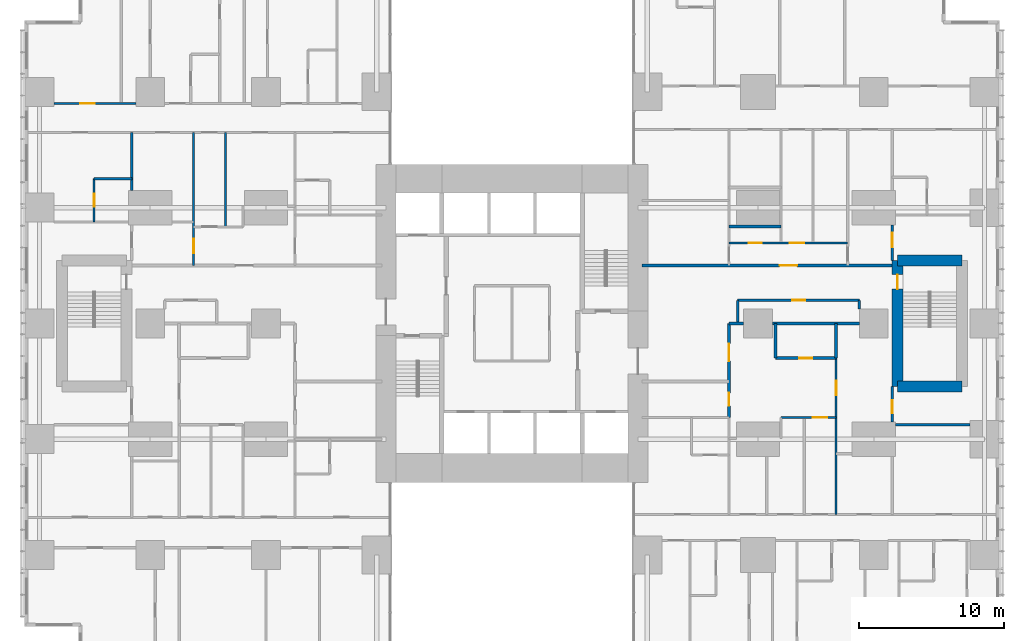
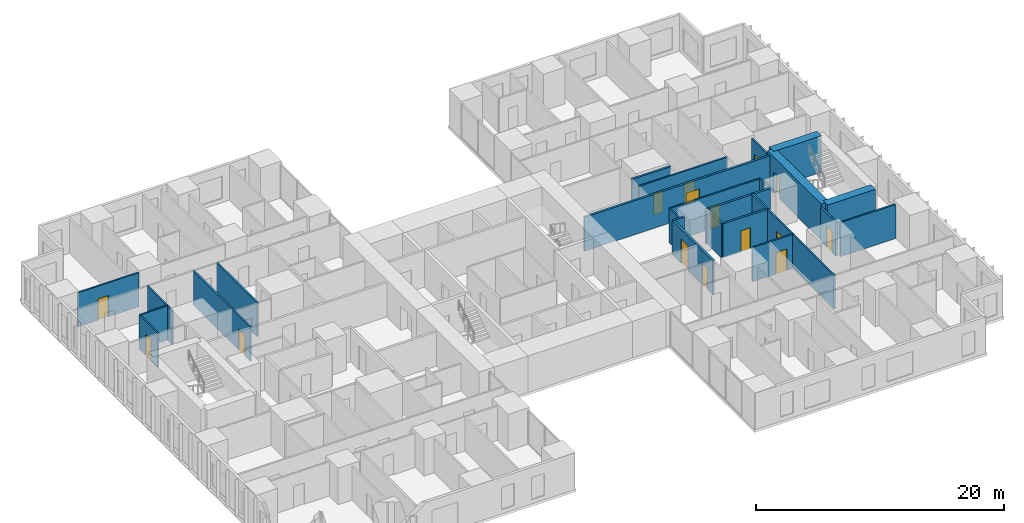
# One storey, part 16 of 21: 26 walls, 15 doors, 15 openings.
"""IFC4 building model written with IfcOpenShell, lengths in metres."""

import ifcopenshell
import ifcopenshell.guid

model = None  # the IFC model being written
_history = None  # IfcOwnerHistory: only IFC2X3 demands one
_inside = {}  # id of a spatial element -> (the spatial element, [elements in it])
_under = {}  # id of a project, library or spatial element -> (it, [spatial elements below it])
_declared = {}  # id of a project -> (the project, [libraries it declares])
_typed = {}  # id of a type object -> (the type object, [elements of that type])
_made_of = {}  # id of a material, layer set ... -> (it, [elements and type objects made of it])


def new_model(schema):
    """Start an empty IFC model of exactly this schema.

    Asked for "IFC4X3", IfcOpenShell would pick the latest addendum, in which some entities
    have other attributes; the version numbers below select the first issue.
    IFC2X3 requires an IfcOwnerHistory on every rooted entity: one is made here for all.
    """
    global model, _history
    if schema == "IFC4X3":
        model = ifcopenshell.file(schema_version=(4, 3, 0, 0))
    else:
        model = ifcopenshell.file(schema=schema)
    _inside.clear()
    _under.clear()
    _declared.clear()
    _typed.clear()
    _made_of.clear()
    _history = None
    if model.schema == "IFC2X3":
        org = make("IfcOrganization", Name="unknown")
        user = make(
            "IfcPersonAndOrganization",
            ThePerson=make("IfcPerson", FamilyName="unknown"),
            TheOrganization=org,
        )
        app = make(
            "IfcApplication",
            ApplicationDeveloper=org,
            Version="unknown",
            ApplicationFullName="unknown",
            ApplicationIdentifier="unknown",
        )
        _history = make(
            "IfcOwnerHistory",
            OwningUser=user,
            OwningApplication=app,
            ChangeAction="ADDED",
            CreationDate=0,
        )
    return model


def make(cls, **values):
    """One entity of the class cls with the attributes given. An attribute that is None is left unset."""
    return model.create_entity(
        cls, **{name: value for name, value in values.items() if value is not None}
    )


def rooted(cls, **values):
    """An entity with a GlobalId (a new one), such as an element, a storey or a relation."""
    return make(cls, GlobalId=ifcopenshell.guid.new(), OwnerHistory=_history, **values)


def si_unit(unit_type, name, prefix=None):
    """IfcSIUnit, for example si_unit("LENGTHUNIT", "METRE", prefix="MILLI")."""
    return make("IfcSIUnit", UnitType=unit_type, Prefix=prefix, Name=name)


def assignment(units):
    """IfcUnitAssignment: the units of a project."""
    return None if units is None else make("IfcUnitAssignment", Units=units)


def point(xyz):
    """IfcCartesianPoint."""
    return None if xyz is None else make("IfcCartesianPoint", Coordinates=xyz)


def direction(xyz):
    """IfcDirection."""
    return None if xyz is None else make("IfcDirection", DirectionRatios=xyz)


def frame(location, z_axis=None, x_axis=None):
    """IfcAxis2Placement3D, a coordinate frame: its origin and axes. An axis left out is left unset."""
    return make(
        "IfcAxis2Placement3D",
        Location=point(location),
        Axis=direction(z_axis),
        RefDirection=direction(x_axis),
    )


def frame_2d(location, x_axis=None):
    """IfcAxis2Placement2D, a coordinate frame in the plane: its origin and x axis."""
    return make(
        "IfcAxis2Placement2D", Location=point(location), RefDirection=direction(x_axis)
    )


def origin():
    """The frame at (0, 0, 0) with its axes left unset."""
    return frame((0.0, 0.0, 0.0))


def place(relative_to, where):
    """IfcLocalPlacement: puts the frame where relative to a parent placement (None: the world)."""
    return make(
        "IfcLocalPlacement", PlacementRelTo=relative_to, RelativePlacement=where
    )


def context(
    kind, dimensions, precision=None, world=None, true_north=None, identifier=None
):
    """IfcGeometricRepresentationContext, for example the 3D "Model" context."""
    return make(
        "IfcGeometricRepresentationContext",
        ContextIdentifier=identifier,
        ContextType=kind,
        CoordinateSpaceDimension=dimensions,
        Precision=precision,
        WorldCoordinateSystem=world,
        TrueNorth=true_north,
    )


def subcontext(parent, identifier, kind, view, scale=None):
    """IfcGeometricRepresentationSubContext, for example "Body" below "Model"."""
    return make(
        "IfcGeometricRepresentationSubContext",
        ContextIdentifier=identifier,
        ContextType=kind,
        ParentContext=parent,
        TargetScale=scale,
        TargetView=view,
    )


def project(units=None, contexts=None):
    """IfcProject with its units and contexts."""
    return rooted(
        "IfcProject",
        Name="project",
        RepresentationContexts=contexts,
        UnitsInContext=assignment(units),
    )


def spatial(cls, under=None, at=None, **own):
    """A site, building, storey or space (cls), placed at a placement, below another one or the project."""
    s = rooted(cls, ObjectPlacement=at, **own)
    if under is not None:
        _under.setdefault(under.id(), (under, []))[1].append(s)
    return s


def profile(cls, at=None, kind="AREA", **sizes):
    """A parametric profile (cls). Its sizes go by their IFC names, for example OverallWidth=200.0."""
    return make(cls, ProfileType=kind, Position=at, **sizes)


def rectangle(**sizes):
    """IfcRectangleProfileDef."""
    return profile("IfcRectangleProfileDef", **sizes)


def extrude(swept, where, along, depth):
    """IfcExtrudedAreaSolid: the profile swept, set in the frame where, extruded along a direction by depth."""
    return make(
        "IfcExtrudedAreaSolid",
        SweptArea=swept,
        Position=where,
        ExtrudedDirection=direction(along),
        Depth=depth,
    )


def shape(context_of_items, identifier, shape_type, items):
    """IfcShapeRepresentation: the items that make up one representation, for example the "Body"."""
    return make(
        "IfcShapeRepresentation",
        ContextOfItems=context_of_items,
        RepresentationIdentifier=identifier,
        RepresentationType=shape_type,
        Items=items,
    )


def material(Name=None, Category=None):
    """IfcMaterial."""
    return make("IfcMaterial", Name=Name, Category=Category)


def layer(
    of_material, thickness, ventilated=None, Name=None, Category=None, Priority=None
):
    """IfcMaterialLayer: one layer of a wall or slab, of a material (None: an air gap)."""
    return make(
        "IfcMaterialLayer",
        Material=of_material,
        LayerThickness=thickness,
        IsVentilated=ventilated,
        Name=Name,
        Category=Category,
        Priority=Priority,
    )


def layer_set(layers, Name=None):
    """IfcMaterialLayerSet."""
    return make("IfcMaterialLayerSet", MaterialLayers=layers, LayerSetName=Name)


def made_of(thing, what):
    """Note that an element or type object is made of a material, layer set ...; save() writes the relation."""
    if what is not None:
        _made_of.setdefault(what.id(), (what, []))[1].append(thing)
    return thing


def type_object(cls, material=None, **own):
    """A type object (cls), such as IfcWallType, which elements share."""
    return made_of(rooted(cls, **own), material)


def element(
    cls,
    number,
    at=None,
    inside=None,
    cuts=None,
    type_object=None,
    material=None,
    context=None,
    identifier="Body",
    shape_type=None,
    held_by="IfcProductDefinitionShape",
    body=None,
    shapes=None,
    **own,
):
    """One element of the class cls, such as IfcWall. Its Tag is "e" and its number.

    at: its placement. inside: the storey or other place that contains it. cuts: it is an
    opening in that element (IfcRelVoidsElement). A single representation is given by context,
    identifier, shape_type and body (its items); several are given by shapes. held_by: the class
    of the entity that holds the representations. save() writes the other relations.
    """
    e = rooted(cls, Tag="e%d" % number, ObjectPlacement=at, **own)
    if body is not None:
        shapes = [shape(context, identifier, shape_type, body)]
    if shapes is not None:
        e.Representation = make(held_by, Representations=shapes)
    if inside is not None:
        _inside.setdefault(inside.id(), (inside, []))[1].append(e)
    if cuts is not None:
        rooted(
            "IfcRelVoidsElement", RelatingBuildingElement=cuts, RelatedOpeningElement=e
        )
    if type_object is not None:
        _typed.setdefault(type_object.id(), (type_object, []))[1].append(e)
    return made_of(e, material)


def fill(opening, filler):
    """IfcRelFillsElement: the door or window that sits in an opening."""
    return rooted(
        "IfcRelFillsElement",
        RelatingOpeningElement=opening,
        RelatedBuildingElement=filler,
    )


def aggregate(whole, parts):
    """IfcRelAggregates: a whole, such as a stair, and the parts it consists of."""
    return rooted("IfcRelAggregates", RelatingObject=whole, RelatedObjects=parts)


def save(model, path):
    """Write the relations noted so far, then the file.

    IfcRelAggregates (storeys below a building ...), IfcRelContainedInSpatialStructure (elements
    in a storey), IfcRelDefinesByType, IfcRelAssociatesMaterial and IfcRelDeclares: one each for
    every whole, place, type object, material and project.
    """
    for whole, parts in _under.values():
        aggregate(whole, parts)
    for where, things in _inside.values():
        rooted(
            "IfcRelContainedInSpatialStructure",
            RelatedElements=things,
            RelatingStructure=where,
        )
    for kind, things in _typed.values():
        rooted("IfcRelDefinesByType", RelatedObjects=things, RelatingType=kind)
    for what, things in _made_of.values():
        rooted("IfcRelAssociatesMaterial", RelatedObjects=things, RelatingMaterial=what)
    for by, libraries in _declared.values():
        rooted("IfcRelDeclares", RelatingContext=by, RelatedDefinitions=libraries)
    model.write(path)


model = new_model("IFC4")

# Units and contexts
model_context = context("Model", 3, precision=1e-05, world=origin(), true_north=direction((0.0, 1.0)))
body_context = subcontext(model_context, "Body", "Model", "MODEL_VIEW")
ifc_project = project(units=[si_unit("LENGTHUNIT", "METRE"), si_unit("AREAUNIT", "SQUARE_METRE"), si_unit("VOLUMEUNIT", "CUBIC_METRE"), si_unit("PLANEANGLEUNIT", "RADIAN"), si_unit("MASSUNIT", "GRAM", prefix="KILO")], contexts=[model_context])

# Site, building, storey
site_placement = place(None, origin())
site = spatial("IfcSite", under=ifc_project, at=site_placement, CompositionType="ELEMENT")
building_placement = place(site_placement, origin())
building = spatial("IfcBuilding", under=site, at=building_placement, Name="Cleftline Residences", CompositionType="ELEMENT")
storey_placement = place(building_placement, frame((0.0, 0.0, 125.0)))
storey = spatial("IfcBuildingStorey", under=building, at=storey_placement, Name="L32", CompositionType="ELEMENT", Elevation=125.0)

# Wall, opening, door
ifc_material_1 = material(Name="Concrete blockwork, fire rated", Category="masonry")
ifc_layer_1 = layer(ifc_material_1, 0.199951171875)
ifc_layer_set_1 = layer_set([ifc_layer_1], Name="FIRE WALL 200")
wall_type_1 = type_object("IfcWallType", Name="FIRE WALL 200", PredefinedType="PARTITIONING", material=ifc_layer_set_1)
wall_1_placement = place(storey_placement, frame((51.199951171875, 21.60009765625, 0.0), z_axis=(0.0, 0.0, 1.0), x_axis=(1.0, 0.0, 0.0)))
wall_1 = element("IfcWall", 1, at=wall_1_placement, inside=storey, type_object=wall_type_1, Name="Fire separating wall", PredefinedType="PARTITIONING", context=body_context, shape_type="SweptSolid", body=[
    extrude(rectangle(XDim=4.199951171875, YDim=0.199951171875, at=frame_2d((2.10009765625, 0.0))), origin(), (0.0, 0.0, 1.0), 3.35009765625),
])
opening_1_placement = place(wall_1_placement, frame((1.64990234375, 0.0, 0.0)))
opening_1 = element("IfcOpeningElement", 2, at=opening_1_placement, cuts=wall_1, Name="Opening D1F30", PredefinedType="OPENING", context=body_context, shape_type="SweptSolid", body=[
    extrude(rectangle(XDim=0.89990234375, YDim=2.10009765625, at=frame_2d((0.449951171875, 1.050048828125))), frame((0.0, 0.10986328125, 0.0), z_axis=(0.0, -1.0, 0.0), x_axis=(1.0, 0.0, 0.0)), (0.0, 0.0, 1.0), 0.219970703125),
])
ifc_material_2 = material(Name="Timber veneer on solid core", Category="wood")
door_type_1 = type_object("IfcDoorType", Name="DOOR 900X2100 EI 30", OperationType="SINGLE_SWING_LEFT", PredefinedType="DOOR", material=ifc_material_2)
door_1_placement = place(opening_1_placement, origin())
door_1 = element("IfcDoor", 3, at=door_1_placement, inside=storey, type_object=door_type_1, Name="Door to cloakroom wc", OperationType="SINGLE_SWING_LEFT", OverallHeight=2.10009765625, OverallWidth=0.89990234375, PredefinedType="DOOR", context=body_context, shape_type="SweptSolid", body=[
    extrude(rectangle(XDim=0.89990234375, YDim=2.10009765625, at=frame_2d((0.449951171875, 1.050048828125))), frame((0.0, 0.02490234375, 0.0), z_axis=(0.0, -1.0, 0.0), x_axis=(1.0, 0.0, 0.0)), (0.0, 0.0, 1.0), 0.050048828125),
])
fill(opening_1, door_1)

# Walls
wall_2_placement = place(storey_placement, frame((48.0, 24.0, 0.0), z_axis=(0.0, 0.0, 1.0), x_axis=(1.0, 0.0, 0.0)))
element("IfcWall", 4, at=wall_2_placement, inside=storey, type_object=wall_type_1, Name="Fire separating wall", PredefinedType="PARTITIONING", context=body_context, shape_type="SweptSolid", body=[
    extrude(rectangle(XDim=1.0, YDim=0.199951171875, at=frame_2d((0.5, 0.0))), origin(), (0.0, 0.0, 1.0), 3.35009765625),
])
wall_3_placement = place(storey_placement, frame((51.0, 24.0, 0.0), z_axis=(0.0, 0.0, 1.0), x_axis=(1.0, 0.0, 0.0)))
element("IfcWall", 5, at=wall_3_placement, inside=storey, type_object=wall_type_1, Name="Fire separating wall", PredefinedType="PARTITIONING", context=body_context, shape_type="SweptSolid", body=[
    extrude(rectangle(XDim=6.0, YDim=0.199951171875, at=frame_2d((3.0, 0.0))), origin(), (0.0, 0.0, 1.0), 3.35009765625),
])

# Wall, opening, door
wall_4_placement = place(storey_placement, frame((42.0, 28.0, 0.0), z_axis=(0.0, 0.0, 1.0), x_axis=(1.0, 0.0, 0.0)))
wall_4 = element("IfcWall", 6, at=wall_4_placement, inside=storey, type_object=wall_type_1, Name="Fire separating wall", PredefinedType="PARTITIONING", context=body_context, shape_type="SweptSolid", body=[
    extrude(rectangle(XDim=17.27490234375, YDim=0.199951171875, at=frame_2d((8.637451171875, 0.0))), origin(), (0.0, 0.0, 1.0), 3.35009765625),
])
opening_2_placement = place(wall_4_placement, frame((9.5, 0.0, 0.0)))
opening_2 = element("IfcOpeningElement", 7, at=opening_2_placement, cuts=wall_4, Name="Opening D4", PredefinedType="OPENING", context=body_context, shape_type="SweptSolid", body=[
    extrude(rectangle(XDim=1.199951171875, YDim=2.39990234375, at=frame_2d((0.60009765625, 1.199951171875))), frame((0.0, 0.10986328125, 0.0), z_axis=(0.0, -1.0, 0.0), x_axis=(1.0, 0.0, 0.0)), (0.0, 0.0, 1.0), 0.219970703125),
])
ifc_material_3 = material(Name="Timber veneer on solid core", Category="wood")
door_type_2 = type_object("IfcDoorType", Name="APARTMENT ENTRANCE DOOR 1200X2400", OperationType="SINGLE_SWING_RIGHT", PredefinedType="DOOR", material=ifc_material_3)
door_2_placement = place(opening_2_placement, origin())
door_2 = element("IfcDoor", 8, at=door_2_placement, inside=storey, type_object=door_type_2, Name="Door to residence entrance foyer", OperationType="SINGLE_SWING_LEFT", OverallHeight=2.39990234375, OverallWidth=1.199951171875, PredefinedType="DOOR", context=body_context, shape_type="SweptSolid", body=[
    extrude(rectangle(XDim=1.199951171875, YDim=2.39990234375, at=frame_2d((0.60009765625, 1.199951171875))), frame((0.0, 0.02490234375, 0.0), z_axis=(0.0, -1.0, 0.0), x_axis=(1.0, 0.0, 0.0)), (0.0, 0.0, 1.0), 0.050048828125),
])
fill(opening_2, door_2)

# Wall
wall_5_placement = place(storey_placement, frame((48.0, 30.699951171875, 0.0), z_axis=(0.0, 0.0, 1.0), x_axis=(1.0, 0.0, 0.0)))
element("IfcWall", 9, at=wall_5_placement, inside=storey, type_object=wall_type_1, Name="Fire separating wall", PredefinedType="PARTITIONING", context=body_context, shape_type="SweptSolid", body=[
    extrude(rectangle(XDim=3.60009765625, YDim=0.199951171875, at=frame_2d((1.800048828125, 0.0))), origin(), (0.0, 0.0, 1.0), 3.35009765625),
])

# Wall, openings, doors
wall_6_placement = place(storey_placement, frame((48.0, 17.5, 0.0), z_axis=(0.0, 0.0, 1.0), x_axis=(0.0, 1.0, 0.0)))
wall_6 = element("IfcWall", 10, at=wall_6_placement, inside=storey, type_object=wall_type_1, Name="Fire separating wall", PredefinedType="PARTITIONING", context=body_context, shape_type="SweptSolid", body=[
    extrude(rectangle(XDim=6.5, YDim=0.199951171875, at=frame_2d((3.25, 0.0))), origin(), (0.0, 0.0, 1.0), 3.35009765625),
])
opening_3_placement = place(wall_6_placement, frame((3.89990234375, 0.0, 0.0)))
opening_3 = element("IfcOpeningElement", 11, at=opening_3_placement, cuts=wall_6, Name="Opening D4", PredefinedType="OPENING", context=body_context, shape_type="SweptSolid", body=[
    extrude(rectangle(XDim=1.199951171875, YDim=2.39990234375, at=frame_2d((0.60009765625, 1.199951171875))), frame((0.0, 0.10986328125, 0.0), z_axis=(0.0, -1.0, 0.0), x_axis=(1.0, 0.0, 0.0)), (0.0, 0.0, 1.0), 0.219970703125),
])
opening_4_placement = place(wall_6_placement, frame((0.800048828125, 0.0, 0.0)))
opening_4 = element("IfcOpeningElement", 12, at=opening_4_placement, cuts=wall_6, Name="Opening D1F30", PredefinedType="OPENING", context=body_context, shape_type="SweptSolid", body=[
    extrude(rectangle(XDim=0.89990234375, YDim=2.10009765625, at=frame_2d((0.449951171875, 1.050048828125))), frame((0.0, 0.10986328125, 0.0), z_axis=(0.0, -1.0, 0.0), x_axis=(1.0, 0.0, 0.0)), (0.0, 0.0, 1.0), 0.219970703125),
])
door_3_placement = place(opening_3_placement, origin())
door_3 = element("IfcDoor", 13, at=door_3_placement, inside=storey, type_object=door_type_2, Name="Door to residence entrance foyer", OperationType="SINGLE_SWING_LEFT", OverallHeight=2.39990234375, OverallWidth=1.199951171875, PredefinedType="DOOR", context=body_context, shape_type="SweptSolid", body=[
    extrude(rectangle(XDim=1.199951171875, YDim=2.39990234375, at=frame_2d((0.60009765625, 1.199951171875))), frame((0.0, 0.02490234375, 0.0), z_axis=(0.0, -1.0, 0.0), x_axis=(1.0, 0.0, 0.0)), (0.0, 0.0, 1.0), 0.050048828125),
])
fill(opening_3, door_3)
door_4_placement = place(opening_4_placement, origin())
door_4 = element("IfcDoor", 14, at=door_4_placement, inside=storey, type_object=door_type_1, Name="Door to laundry", OperationType="SINGLE_SWING_RIGHT", OverallHeight=2.10009765625, OverallWidth=0.89990234375, PredefinedType="DOOR", context=body_context, shape_type="SweptSolid", body=[
    extrude(rectangle(XDim=0.89990234375, YDim=2.10009765625, at=frame_2d((0.449951171875, 1.050048828125))), frame((0.0, 0.02490234375, 0.0), z_axis=(0.0, -1.0, 0.0), x_axis=(1.0, 0.0, 0.0)), (0.0, 0.0, 1.0), 0.050048828125),
])
fill(opening_4, door_4)

# Walls
for number, where, z_axis, x_axis, name in (
    (15, (51.199951171875, 21.60009765625, 0.0), (0.0, 0.0, 1.0), (0.0, 1.0, 0.0), "Fire separating wall"),
    (16, (55.39990234375, 21.60009765625, 0.0), (0.0, 0.0, 1.0), (0.0, 1.0, 0.0), "Fire separating wall"),
):
    element("IfcWall", number, at=place(storey_placement, frame(where, z_axis=z_axis, x_axis=x_axis)), inside=storey, type_object=wall_type_1, Name=name, PredefinedType="PARTITIONING", context=body_context, shape_type="SweptSolid", body=[
        extrude(rectangle(XDim=2.39990234375, YDim=0.199951171875, at=frame_2d((1.199951171875, 0.0))), origin(), (0.0, 0.0, 1.0), 3.35009765625),
    ])
ifc_material_4 = material(Name="Gypsum board on steel studs", Category="steel")
ifc_layer_2 = layer(ifc_material_4, 0.14990234375)
ifc_layer_set_2 = layer_set([ifc_layer_2], Name="PARTITION 150")
wall_type_2 = type_object("IfcWallType", Name="PARTITION 150", PredefinedType="PARTITIONING", material=ifc_layer_set_2)
wall_7_placement = place(storey_placement, frame((59.5, 17.0, 0.0), z_axis=(0.0, 0.0, 1.0), x_axis=(1.0, 0.0, 0.0)))
element("IfcWall", 17, at=wall_7_placement, inside=storey, type_object=wall_type_2, Name="Partition", PredefinedType="PARTITIONING", context=body_context, shape_type="SweptSolid", body=[
    extrude(rectangle(XDim=5.14990234375, YDim=0.14990234375, at=frame_2d((2.574951171875, 0.0))), origin(), (0.0, 0.0, 1.0), 3.35009765625),
])

# Wall, opening, door
wall_8_placement = place(storey_placement, frame((51.60009765625, 17.5, 0.0), z_axis=(0.0, 0.0, 1.0), x_axis=(1.0, 0.0, 0.0)))
wall_8 = element("IfcWall", 18, at=wall_8_placement, inside=storey, type_object=wall_type_2, Name="Partition", PredefinedType="PARTITIONING", context=body_context, shape_type="SweptSolid", body=[
    extrude(rectangle(XDim=3.7998046875, YDim=0.14990234375, at=frame_2d((1.89990234375, 0.0))), origin(), (0.0, 0.0, 1.0), 3.35009765625),
])
opening_5_placement = place(wall_8_placement, frame((2.199951171875, 0.0, 0.0)))
opening_5 = element("IfcOpeningElement", 19, at=opening_5_placement, cuts=wall_8, Name="Opening D2", PredefinedType="OPENING", context=body_context, shape_type="SweptSolid", body=[
    extrude(rectangle(XDim=1.0, YDim=2.10009765625, at=frame_2d((0.5, 1.050048828125))), frame((0.0, 0.0849609375, 0.0), z_axis=(0.0, -1.0, 0.0), x_axis=(1.0, 0.0, 0.0)), (0.0, 0.0, 1.0), 0.169921875),
])
ifc_material_5 = material(Name="Timber veneer on solid core", Category="wood")
door_type_3 = type_object("IfcDoorType", Name="DOOR 1000X2100", OperationType="SINGLE_SWING_LEFT", PredefinedType="DOOR", material=ifc_material_5)
door_5_placement = place(opening_5_placement, origin())
door_5 = element("IfcDoor", 20, at=door_5_placement, inside=storey, type_object=door_type_3, Name="Door to residence passage", OperationType="SINGLE_SWING_LEFT", OverallHeight=2.10009765625, OverallWidth=1.0, PredefinedType="DOOR", context=body_context, shape_type="SweptSolid", body=[
    extrude(rectangle(XDim=1.0, YDim=2.10009765625, at=frame_2d((0.5, 1.050048828125))), frame((0.0, 0.02490234375, 0.0), z_axis=(0.0, -1.0, 0.0), x_axis=(1.0, 0.0, 0.0)), (0.0, 0.0, 1.0), 0.050048828125),
])
fill(opening_5, door_5)

wall_9_placement = place(storey_placement, frame((48.60009765625, 25.60009765625, 0.0), z_axis=(0.0, 0.0, 1.0), x_axis=(1.0, 0.0, 0.0)))
wall_9 = element("IfcWall", 21, at=wall_9_placement, inside=storey, type_object=wall_type_2, Name="Partition", PredefinedType="PARTITIONING", context=body_context, shape_type="SweptSolid", body=[
    extrude(rectangle(XDim=8.39990234375, YDim=0.14990234375, at=frame_2d((4.199951171875, 0.0))), origin(), (0.0, 0.0, 1.0), 3.35009765625),
])
opening_6_placement = place(wall_9_placement, frame((3.75, 0.0, 0.0)))
opening_6 = element("IfcOpeningElement", 22, at=opening_6_placement, cuts=wall_9, Name="Opening D1", PredefinedType="OPENING", context=body_context, shape_type="SweptSolid", body=[
    extrude(rectangle(XDim=0.89990234375, YDim=2.10009765625, at=frame_2d((0.449951171875, 1.050048828125))), frame((0.0, 0.0849609375, 0.0), z_axis=(0.0, -1.0, 0.0), x_axis=(1.0, 0.0, 0.0)), (0.0, 0.0, 1.0), 0.169921875),
])
ifc_material_6 = material(Name="Timber veneer on solid core", Category="wood")
door_type_4 = type_object("IfcDoorType", Name="DOOR 900X2100", OperationType="SINGLE_SWING_LEFT", PredefinedType="DOOR", material=ifc_material_6)
door_6_placement = place(opening_6_placement, origin())
door_6 = element("IfcDoor", 23, at=door_6_placement, inside=storey, type_object=door_type_4, Name="Door to residents' locker room", OperationType="SINGLE_SWING_LEFT", OverallHeight=2.10009765625, OverallWidth=0.89990234375, PredefinedType="DOOR", context=body_context, shape_type="SweptSolid", body=[
    extrude(rectangle(XDim=0.89990234375, YDim=2.10009765625, at=frame_2d((0.449951171875, 1.050048828125))), frame((0.0, 0.02490234375, 0.0), z_axis=(0.0, -1.0, 0.0), x_axis=(1.0, 0.0, 0.0)), (0.0, 0.0, 1.0), 0.050048828125),
])
fill(opening_6, door_6)

# Wall, openings, doors
wall_10_placement = place(storey_placement, frame((48.0, 29.550048828125, 0.0), z_axis=(0.0, 0.0, 1.0), x_axis=(1.0, 0.0, 0.0)))
wall_10 = element("IfcWall", 24, at=wall_10_placement, inside=storey, type_object=wall_type_2, Name="Partition", PredefinedType="PARTITIONING", context=body_context, shape_type="SweptSolid", body=[
    extrude(rectangle(XDim=8.199951171875, YDim=0.14990234375, at=frame_2d((4.10009765625, 0.0))), origin(), (0.0, 0.0, 1.0), 3.35009765625),
])
opening_7_placement = place(wall_10_placement, frame((4.199951171875, 0.0, 0.0)))
opening_7 = element("IfcOpeningElement", 25, at=opening_7_placement, cuts=wall_10, Name="Opening D2", PredefinedType="OPENING", context=body_context, shape_type="SweptSolid", body=[
    extrude(rectangle(XDim=1.0, YDim=2.10009765625, at=frame_2d((0.5, 1.050048828125))), frame((0.0, 0.0849609375, 0.0), z_axis=(0.0, -1.0, 0.0), x_axis=(1.0, 0.0, 0.0)), (0.0, 0.0, 1.0), 0.169921875),
])
opening_8_placement = place(wall_10_placement, frame((1.35009765625, 0.0, 0.0)))
opening_8 = element("IfcOpeningElement", 26, at=opening_8_placement, cuts=wall_10, Name="Opening D1", PredefinedType="OPENING", context=body_context, shape_type="SweptSolid", body=[
    extrude(rectangle(XDim=0.89990234375, YDim=2.10009765625, at=frame_2d((0.449951171875, 1.050048828125))), frame((0.0, 0.0849609375, 0.0), z_axis=(0.0, -1.0, 0.0), x_axis=(1.0, 0.0, 0.0)), (0.0, 0.0, 1.0), 0.169921875),
])
door_7_placement = place(opening_7_placement, origin())
door_7 = element("IfcDoor", 27, at=door_7_placement, inside=storey, type_object=door_type_3, Name="Door to residence passage", OperationType="SINGLE_SWING_LEFT", OverallHeight=2.10009765625, OverallWidth=1.0, PredefinedType="DOOR", context=body_context, shape_type="SweptSolid", body=[
    extrude(rectangle(XDim=1.0, YDim=2.10009765625, at=frame_2d((0.5, 1.050048828125))), frame((0.0, 0.02490234375, 0.0), z_axis=(0.0, -1.0, 0.0), x_axis=(1.0, 0.0, 0.0)), (0.0, 0.0, 1.0), 0.050048828125),
])
fill(opening_7, door_7)
door_8_placement = place(opening_8_placement, origin())
door_8 = element("IfcDoor", 28, at=door_8_placement, inside=storey, type_object=door_type_4, Name="Door to linen store", OperationType="SINGLE_SWING_RIGHT", OverallHeight=2.10009765625, OverallWidth=0.89990234375, PredefinedType="DOOR", context=body_context, shape_type="SweptSolid", body=[
    extrude(rectangle(XDim=0.89990234375, YDim=2.10009765625, at=frame_2d((0.449951171875, 1.050048828125))), frame((0.0, 0.02490234375, 0.0), z_axis=(0.0, -1.0, 0.0), x_axis=(1.0, 0.0, 0.0)), (0.0, 0.0, 1.0), 0.050048828125),
])
fill(opening_8, door_8)

# Wall
wall_11_placement = place(storey_placement, frame((4.125, 34.0, 0.0), z_axis=(0.0, 0.0, 1.0), x_axis=(1.0, 0.0, 0.0)))
element("IfcWall", 29, at=wall_11_placement, inside=storey, type_object=wall_type_2, Name="Partition", PredefinedType="PARTITIONING", context=body_context, shape_type="SweptSolid", body=[
    extrude(rectangle(XDim=2.60009765625, YDim=0.14990234375, at=frame_2d((1.300048828125, 0.0))), origin(), (0.0, 0.0, 1.0), 3.35009765625),
])

# Wall, opening, door
wall_12_placement = place(storey_placement, frame((1.35009765625, 39.199951171875, 0.0), z_axis=(0.0, 0.0, 1.0), x_axis=(1.0, 0.0, 0.0)))
wall_12 = element("IfcWall", 30, at=wall_12_placement, inside=storey, type_object=wall_type_2, Name="Partition", PredefinedType="PARTITIONING", context=body_context, shape_type="SweptSolid", body=[
    extrude(rectangle(XDim=5.64990234375, YDim=0.14990234375, at=frame_2d((2.824951171875, 0.0))), origin(), (0.0, 0.0, 1.0), 3.35009765625),
])
opening_9_placement = place(wall_12_placement, frame((1.824951171875, 0.0, 0.0)))
opening_9 = element("IfcOpeningElement", 31, at=opening_9_placement, cuts=wall_12, Name="Opening D2", PredefinedType="OPENING", context=body_context, shape_type="SweptSolid", body=[
    extrude(rectangle(XDim=1.0, YDim=2.10009765625, at=frame_2d((0.5, 1.050048828125))), frame((0.0, 0.0849609375, 0.0), z_axis=(0.0, -1.0, 0.0), x_axis=(1.0, 0.0, 0.0)), (0.0, 0.0, 1.0), 0.169921875),
])
door_9_placement = place(opening_9_placement, origin())
door_9 = element("IfcDoor", 32, at=door_9_placement, inside=storey, type_object=door_type_3, Name="Door to gym", OperationType="SINGLE_SWING_RIGHT", OverallHeight=2.10009765625, OverallWidth=1.0, PredefinedType="DOOR", context=body_context, shape_type="SweptSolid", body=[
    extrude(rectangle(XDim=1.0, YDim=2.10009765625, at=frame_2d((0.5, 1.050048828125))), frame((0.0, 0.02490234375, 0.0), z_axis=(0.0, -1.0, 0.0), x_axis=(1.0, 0.0, 0.0)), (0.0, 0.0, 1.0), 0.050048828125),
])
fill(opening_9, door_9)

wall_13_placement = place(storey_placement, frame((4.125, 31.0, 0.0), z_axis=(0.0, 0.0, 1.0), x_axis=(0.0, 1.0, 0.0)))
wall_13 = element("IfcWall", 33, at=wall_13_placement, inside=storey, type_object=wall_type_2, Name="Partition", PredefinedType="PARTITIONING", context=body_context, shape_type="SweptSolid", body=[
    extrude(rectangle(XDim=3.0, YDim=0.14990234375, at=frame_2d((1.5, 0.0))), origin(), (0.0, 0.0, 1.0), 3.35009765625),
])
opening_10_placement = place(wall_13_placement, frame((1.050048828125, 0.0, 0.0)))
opening_10 = element("IfcOpeningElement", 34, at=opening_10_placement, cuts=wall_13, Name="Opening D1", PredefinedType="OPENING", context=body_context, shape_type="SweptSolid", body=[
    extrude(rectangle(XDim=0.89990234375, YDim=2.10009765625, at=frame_2d((0.449951171875, 1.050048828125))), frame((0.0, 0.0849609375, 0.0), z_axis=(0.0, -1.0, 0.0), x_axis=(1.0, 0.0, 0.0)), (0.0, 0.0, 1.0), 0.169921875),
])
door_10_placement = place(opening_10_placement, origin())
door_10 = element("IfcDoor", 35, at=door_10_placement, inside=storey, type_object=door_type_4, Name="Door to master bathroom", OperationType="SINGLE_SWING_LEFT", OverallHeight=2.10009765625, OverallWidth=0.89990234375, PredefinedType="DOOR", context=body_context, shape_type="SweptSolid", body=[
    extrude(rectangle(XDim=0.89990234375, YDim=2.10009765625, at=frame_2d((0.449951171875, 1.050048828125))), frame((0.0, 0.02490234375, 0.0), z_axis=(0.0, -1.0, 0.0), x_axis=(1.0, 0.0, 0.0)), (0.0, 0.0, 1.0), 0.050048828125),
])
fill(opening_10, door_10)

# Wall
wall_14_placement = place(storey_placement, frame((6.72509765625, 33.199951171875, 0.0), z_axis=(0.0, 0.0, 1.0), x_axis=(0.0, 1.0, 0.0)))
element("IfcWall", 36, at=wall_14_placement, inside=storey, type_object=wall_type_2, Name="Partition", PredefinedType="PARTITIONING", context=body_context, shape_type="SweptSolid", body=[
    extrude(rectangle(XDim=4.0, YDim=0.14990234375, at=frame_2d((2.0, 0.0))), origin(), (0.0, 0.0, 1.0), 3.35009765625),
])

# Wall, opening, door
wall_15_placement = place(storey_placement, frame((11.0, 28.0, 0.0), z_axis=(0.0, 0.0, 1.0), x_axis=(0.0, 1.0, 0.0)))
wall_15 = element("IfcWall", 37, at=wall_15_placement, inside=storey, type_object=wall_type_2, Name="Partition", PredefinedType="PARTITIONING", context=body_context, shape_type="SweptSolid", body=[
    extrude(rectangle(XDim=9.199951171875, YDim=0.14990234375, at=frame_2d((4.60009765625, 0.0))), origin(), (0.0, 0.0, 1.0), 3.35009765625),
])
opening_11_placement = place(wall_15_placement, frame((0.83740234375, 0.0, 0.0)))
opening_11 = element("IfcOpeningElement", 38, at=opening_11_placement, cuts=wall_15, Name="Opening D2F30", PredefinedType="OPENING", context=body_context, shape_type="SweptSolid", body=[
    extrude(rectangle(XDim=1.0, YDim=2.10009765625, at=frame_2d((0.5, 1.050048828125))), frame((0.0, 0.0849609375, 0.0), z_axis=(0.0, -1.0, 0.0), x_axis=(1.0, 0.0, 0.0)), (0.0, 0.0, 1.0), 0.169921875),
])
ifc_material_7 = material(Name="Timber veneer on solid core", Category="wood")
door_type_5 = type_object("IfcDoorType", Name="DOOR 1000X2100 EI 30", OperationType="SINGLE_SWING_LEFT", PredefinedType="DOOR", material=ifc_material_7)
door_11_placement = place(opening_11_placement, origin())
door_11 = element("IfcDoor", 39, at=door_11_placement, inside=storey, type_object=door_type_5, Name="Door to residence lobby (service)", OperationType="SINGLE_SWING_RIGHT", OverallHeight=2.10009765625, OverallWidth=1.0, PredefinedType="DOOR", context=body_context, shape_type="SweptSolid", body=[
    extrude(rectangle(XDim=1.0, YDim=2.10009765625, at=frame_2d((0.5, 1.050048828125))), frame((0.0, 0.02490234375, 0.0), z_axis=(0.0, -1.0, 0.0), x_axis=(1.0, 0.0, 0.0)), (0.0, 0.0, 1.0), 0.050048828125),
])
fill(opening_11, door_11)

# Walls
wall_16_placement = place(storey_placement, frame((13.199951171875, 30.675048828125, 0.0), z_axis=(0.0, 0.0, 1.0), x_axis=(0.0, 1.0, 0.0)))
element("IfcWall", 40, at=wall_16_placement, inside=storey, type_object=wall_type_2, Name="Partition", PredefinedType="PARTITIONING", context=body_context, shape_type="SweptSolid", body=[
    extrude(rectangle(XDim=6.52490234375, YDim=0.14990234375, at=frame_2d((3.262451171875, 0.0))), origin(), (0.0, 0.0, 1.0), 3.35009765625),
])
wall_17_placement = place(storey_placement, frame((48.60009765625, 24.0, 0.0), z_axis=(0.0, 0.0, 1.0), x_axis=(0.0, 1.0, 0.0)))
element("IfcWall", 41, at=wall_17_placement, inside=storey, type_object=wall_type_2, Name="Partition", PredefinedType="PARTITIONING", context=body_context, shape_type="SweptSolid", body=[
    extrude(rectangle(XDim=1.60009765625, YDim=0.14990234375, at=frame_2d((0.800048828125, 0.0))), origin(), (0.0, 0.0, 1.0), 3.35009765625),
])

# Wall, opening, door
wall_18_placement = place(storey_placement, frame((55.39990234375, 10.800048828125, 0.0), z_axis=(0.0, 0.0, 1.0), x_axis=(0.0, 1.0, 0.0)))
wall_18 = element("IfcWall", 42, at=wall_18_placement, inside=storey, type_object=wall_type_2, Name="Partition", PredefinedType="PARTITIONING", context=body_context, shape_type="SweptSolid", body=[
    extrude(rectangle(XDim=10.800048828125, YDim=0.14990234375, at=frame_2d((5.39990234375, 0.0))), origin(), (0.0, 0.0, 1.0), 3.35009765625),
])
opening_12_placement = place(wall_18_placement, frame((8.25, 0.0, 0.0)))
opening_12 = element("IfcOpeningElement", 43, at=opening_12_placement, cuts=wall_18, Name="Opening D2F30", PredefinedType="OPENING", context=body_context, shape_type="SweptSolid", body=[
    extrude(rectangle(XDim=1.0, YDim=2.10009765625, at=frame_2d((0.5, 1.050048828125))), frame((0.0, 0.0849609375, 0.0), z_axis=(0.0, -1.0, 0.0), x_axis=(1.0, 0.0, 0.0)), (0.0, 0.0, 1.0), 0.169921875),
])
door_12_placement = place(opening_12_placement, origin())
door_12 = element("IfcDoor", 44, at=door_12_placement, inside=storey, type_object=door_type_5, Name="Door to residence lobby (service)", OperationType="SINGLE_SWING_LEFT", OverallHeight=2.10009765625, OverallWidth=1.0, PredefinedType="DOOR", context=body_context, shape_type="SweptSolid", body=[
    extrude(rectangle(XDim=1.0, YDim=2.10009765625, at=frame_2d((0.5, 1.050048828125))), frame((0.0, 0.02490234375, 0.0), z_axis=(0.0, -1.0, 0.0), x_axis=(1.0, 0.0, 0.0)), (0.0, 0.0, 1.0), 0.050048828125),
])
fill(opening_12, door_12)

# Wall
wall_19_placement = place(storey_placement, frame((57.0, 25.0, 0.0), z_axis=(0.0, 0.0, 1.0), x_axis=(0.0, 1.0, 0.0)))
element("IfcWall", 45, at=wall_19_placement, inside=storey, type_object=wall_type_2, Name="Partition", PredefinedType="PARTITIONING", context=body_context, shape_type="SweptSolid", body=[
    extrude(rectangle(XDim=0.60009765625, YDim=0.14990234375, at=frame_2d((0.300048828125, 0.0))), origin(), (0.0, 0.0, 1.0), 3.35009765625),
])

# Wall, opening, door
wall_20_placement = place(storey_placement, frame((59.27490234375, 17.199951171875, 0.0), z_axis=(0.0, 0.0, 1.0), x_axis=(0.0, 1.0, 0.0)))
wall_20 = element("IfcWall", 46, at=wall_20_placement, inside=storey, type_object=wall_type_2, Name="Partition", PredefinedType="PARTITIONING", context=body_context, shape_type="SweptSolid", body=[
    extrude(rectangle(XDim=2.449951171875, YDim=0.14990234375, at=frame_2d((1.22509765625, 0.0))), origin(), (0.0, 0.0, 1.0), 3.35009765625),
])
opening_13_placement = place(wall_20_placement, frame((0.58740234375, 0.0, 0.0)))
opening_13 = element("IfcOpeningElement", 47, at=opening_13_placement, cuts=wall_20, Name="Opening D1", PredefinedType="OPENING", context=body_context, shape_type="SweptSolid", body=[
    extrude(rectangle(XDim=0.89990234375, YDim=2.10009765625, at=frame_2d((0.449951171875, 1.050048828125))), frame((0.0, 0.0849609375, 0.0), z_axis=(0.0, -1.0, 0.0), x_axis=(1.0, 0.0, 0.0)), (0.0, 0.0, 1.0), 0.169921875),
])
door_13_placement = place(opening_13_placement, origin())
door_13 = element("IfcDoor", 48, at=door_13_placement, inside=storey, type_object=door_type_4, Name="Door to drying loggia", OperationType="SINGLE_SWING_RIGHT", OverallHeight=2.10009765625, OverallWidth=0.89990234375, PredefinedType="DOOR", context=body_context, shape_type="SweptSolid", body=[
    extrude(rectangle(XDim=0.89990234375, YDim=2.10009765625, at=frame_2d((0.449951171875, 1.050048828125))), frame((0.0, 0.02490234375, 0.0), z_axis=(0.0, -1.0, 0.0), x_axis=(1.0, 0.0, 0.0)), (0.0, 0.0, 1.0), 0.050048828125),
])
fill(opening_13, door_13)

wall_21_placement = place(storey_placement, frame((59.27490234375, 28.35009765625, 0.0), z_axis=(0.0, 0.0, 1.0), x_axis=(0.0, 1.0, 0.0)))
wall_21 = element("IfcWall", 49, at=wall_21_placement, inside=storey, type_object=wall_type_2, Name="Partition", PredefinedType="PARTITIONING", context=body_context, shape_type="SweptSolid", body=[
    extrude(rectangle(XDim=2.449951171875, YDim=0.14990234375, at=frame_2d((1.22509765625, 0.0))), origin(), (0.0, 0.0, 1.0), 3.35009765625),
])
opening_14_placement = place(wall_21_placement, frame((0.91259765625, 0.0, 0.0)))
opening_14 = element("IfcOpeningElement", 50, at=opening_14_placement, cuts=wall_21, Name="Opening D2", PredefinedType="OPENING", context=body_context, shape_type="SweptSolid", body=[
    extrude(rectangle(XDim=1.0, YDim=2.10009765625, at=frame_2d((0.5, 1.050048828125))), frame((0.0, 0.0849609375, 0.0), z_axis=(0.0, -1.0, 0.0), x_axis=(1.0, 0.0, 0.0)), (0.0, 0.0, 1.0), 0.169921875),
])
door_14_placement = place(opening_14_placement, origin())
door_14 = element("IfcDoor", 51, at=door_14_placement, inside=storey, type_object=door_type_3, Name="Door to bedroom 2", OperationType="SINGLE_SWING_LEFT", OverallHeight=2.10009765625, OverallWidth=1.0, PredefinedType="DOOR", context=body_context, shape_type="SweptSolid", body=[
    extrude(rectangle(XDim=1.0, YDim=2.10009765625, at=frame_2d((0.5, 1.050048828125))), frame((0.0, 0.02490234375, 0.0), z_axis=(0.0, -1.0, 0.0), x_axis=(1.0, 0.0, 0.0)), (0.0, 0.0, 1.0), 0.050048828125),
])
fill(opening_14, door_14)

# Walls
ifc_material_8 = material(Name="Concrete B70", Category="concrete")
ifc_layer_3 = layer(ifc_material_8, 0.75)
ifc_layer_set_3 = layer_set([ifc_layer_3], Name="SHEAR WALL 750")
wall_type_3 = type_object("IfcWallType", Name="SHEAR WALL 750", PredefinedType="SHEAR", material=ifc_layer_set_3)
for number, where, z_axis, x_axis, name in (
    (52, (59.64990234375, 19.64990234375, 0.0), (0.0, 0.0, 1.0), (1.0, 0.0, 0.0), "Wing shear wall"),
    (53, (64.10009765625, 28.35009765625, 0.0), (0.0, 0.0, 1.0), (-1.0, 0.0, 0.0), "Wing shear wall"),
):
    element("IfcWall", number, at=place(storey_placement, frame(where, z_axis=z_axis, x_axis=x_axis)), inside=storey, type_object=wall_type_3, Name=name, PredefinedType="SHEAR", context=body_context, shape_type="SweptSolid", body=[
        extrude(rectangle(XDim=4.4501953125, YDim=0.75, at=frame_2d((2.22509765625, 0.0))), origin(), (0.0, 0.0, 1.0), 3.60009765625),
    ])

# Wall, opening, door
wall_22_placement = place(storey_placement, frame((59.64990234375, 28.35009765625, 0.0), z_axis=(0.0, 0.0, 1.0), x_axis=(0.0, -1.0, 0.0)))
wall_22 = element("IfcWall", 54, at=wall_22_placement, inside=storey, type_object=wall_type_3, Name="Wing shear wall", PredefinedType="SHEAR", context=body_context, shape_type="SweptSolid", body=[
    extrude(rectangle(XDim=8.7001953125, YDim=0.75, at=frame_2d((4.35009765625, 0.0))), origin(), (0.0, 0.0, 1.0), 3.60009765625),
])
opening_15_placement = place(wall_22_placement, frame((0.97509765625, 0.0, 0.0)))
opening_15 = element("IfcOpeningElement", 55, at=opening_15_placement, cuts=wall_22, Name="Opening D5", PredefinedType="OPENING", context=body_context, shape_type="SweptSolid", body=[
    extrude(rectangle(XDim=1.0, YDim=2.10009765625, at=frame_2d((0.5, 1.050048828125))), frame((0.0, 0.385009765625, 0.0), z_axis=(0.0, -1.0, 0.0), x_axis=(1.0, 0.0, 0.0)), (0.0, 0.0, 1.0), 0.77001953125),
])
ifc_material_9 = material(Name="Steel", Category="steel")
door_type_6 = type_object("IfcDoorType", Name="STAIR DOOR 1000X2100", OperationType="SINGLE_SWING_LEFT", PredefinedType="DOOR", material=ifc_material_9)
door_15_placement = place(opening_15_placement, origin())
door_15 = element("IfcDoor", 56, at=door_15_placement, inside=storey, type_object=door_type_6, Name="Stair E door", OperationType="SINGLE_SWING_RIGHT", OverallHeight=2.10009765625, OverallWidth=1.0, PredefinedType="DOOR", context=body_context, shape_type="SweptSolid", body=[
    extrude(rectangle(XDim=1.0, YDim=2.10009765625, at=frame_2d((0.5, 1.050048828125))), frame((0.0, 0.02490234375, 0.0), z_axis=(0.0, -1.0, 0.0), x_axis=(1.0, 0.0, 0.0)), (0.0, 0.0, 1.0), 0.050048828125),
])
fill(opening_15, door_15)

save(model, "model.ifc")
